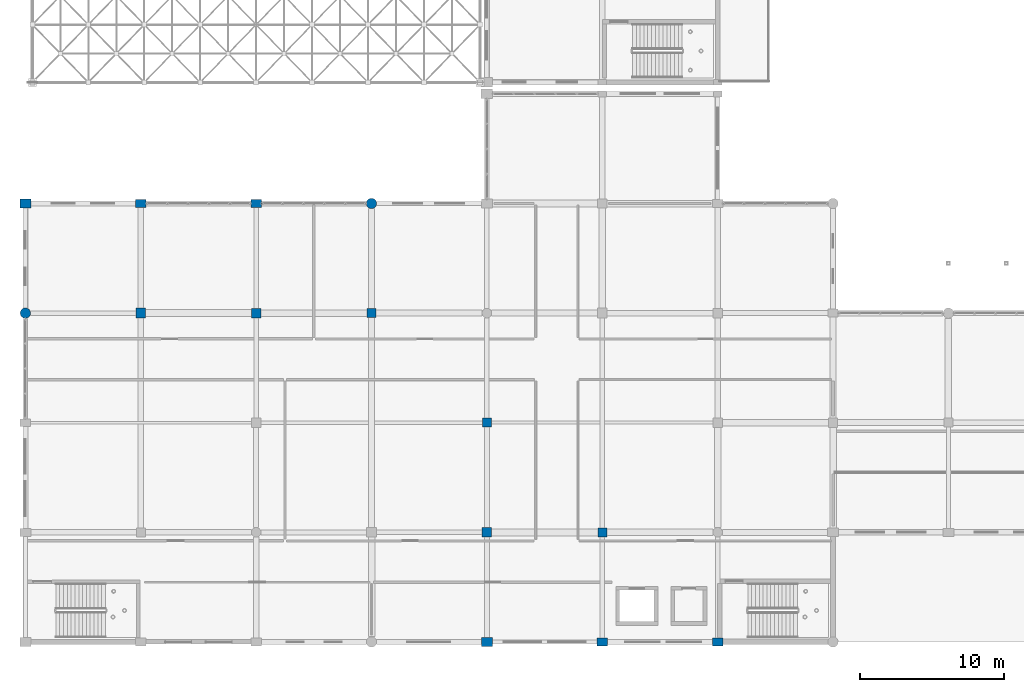
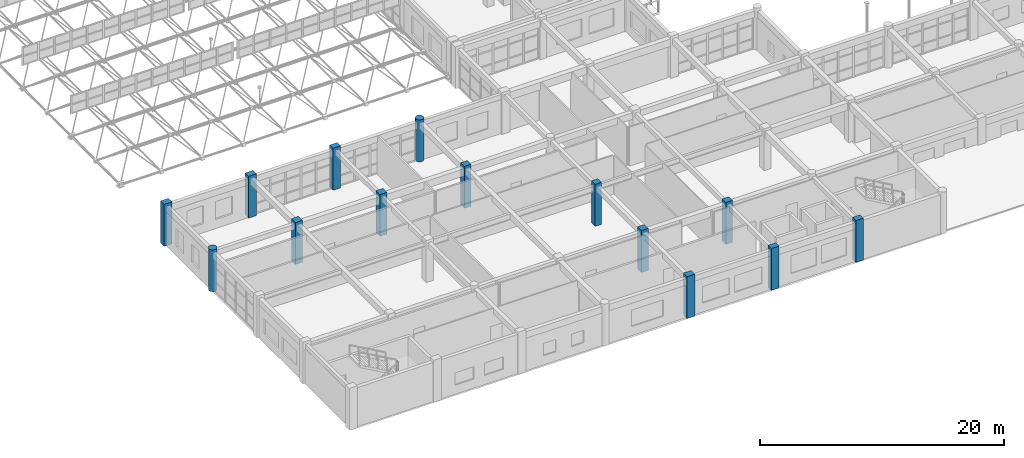
# One storey, part 2 of 195: 14 columns.
"""IFC4 building model written with IfcOpenShell, lengths in metres."""

from ifc_helpers import new_model, si_unit, direction, frame, origin, origin_2d, place, context, subcontext, project, spatial, rectangle, circle, extrude, material, material_profile, profile_set, type_object, element, save


model = new_model("IFC4")

# Units and contexts
model_context = context("Model", 3, precision=1e-05, world=origin(), true_north=direction((0.0, 1.0)))
body_context = subcontext(model_context, "Body", "Model", "MODEL_VIEW")
ifc_project = project(units=[si_unit("LENGTHUNIT", "METRE"), si_unit("AREAUNIT", "SQUARE_METRE"), si_unit("VOLUMEUNIT", "CUBIC_METRE"), si_unit("PLANEANGLEUNIT", "RADIAN"), si_unit("MASSUNIT", "GRAM", prefix="KILO")], contexts=[model_context])

# Site, building, storey
site_placement = place(None, origin())
site = spatial("IfcSite", under=ifc_project, at=site_placement, CompositionType="ELEMENT")
building_placement = place(site_placement, origin())
building = spatial("IfcBuilding", under=site, at=building_placement, Name="Kharva Crest Polytechnic", CompositionType="ELEMENT")
storey_placement = place(building_placement, frame((0.0, 0.0, 9.0)))
storey = spatial("IfcBuildingStorey", under=building, at=storey_placement, Name="L02", CompositionType="ELEMENT", Elevation=9.0)

# Columns
ifc_material = material(Name="Concrete C40/50", Category="concrete")
ifc_material_profile_1 = material_profile(ifc_material, rectangle(XDim=0.719970703125, YDim=0.550048828125, at=origin_2d()), Name="RECT 720 X 550")
ifc_profile_set_1 = profile_set([ifc_material_profile_1], Name="Concrete C40/50")
column_type_1 = type_object("IfcColumnType", Name="COL-EXT-720X550", PredefinedType="COLUMN", material=ifc_profile_set_1)
for number, where, z_axis, x_axis, name in (
    (1, (16.0, 30.39990234375, 0.0), (0.0, 0.0, 1.0), (1.0, 0.0, 0.0), "L02 Column 3/E"),
    (2, (48.0, 0.0, 0.0), (0.0, 0.0, 1.0), (1.0, 0.0, 0.0), "L02 Column 7/A"),
):
    element("IfcColumn", number, at=place(storey_placement, frame(where, z_axis=z_axis, x_axis=x_axis)), inside=storey, type_object=column_type_1, Name=name, PredefinedType="COLUMN", context=body_context, shape_type="SweptSolid", body=[
        extrude(rectangle(XDim=0.719970703125, YDim=0.550048828125, at=origin_2d()), origin(), (0.0, 0.0, 1.0), 4.199951171875),
    ])
ifc_material_profile_2 = material_profile(ifc_material, rectangle(XDim=0.75, YDim=0.550048828125, at=origin_2d()), Name="RECT 750 X 550")
ifc_profile_set_2 = profile_set([ifc_material_profile_2], Name="Concrete C40/50")
column_type_2 = type_object("IfcColumnType", Name="COL-EXT-750X550", PredefinedType="COLUMN", material=ifc_profile_set_2)
for number, where, z_axis, x_axis, name in (
    (3, (8.0, 30.39990234375, 0.0), (0.0, 0.0, 1.0), (1.0, 0.0, 0.0), "L02 Column 2/E"),
    (4, (40.0, 0.0, 0.0), (0.0, 0.0, 1.0), (1.0, 0.0, 0.0), "L02 Column 6/A"),
):
    element("IfcColumn", number, at=place(storey_placement, frame(where, z_axis=z_axis, x_axis=x_axis)), inside=storey, type_object=column_type_2, Name=name, PredefinedType="COLUMN", context=body_context, shape_type="SweptSolid", body=[
        extrude(rectangle(XDim=0.75, YDim=0.550048828125, at=origin_2d()), origin(), (0.0, 0.0, 1.0), 4.199951171875),
    ])
ifc_material_profile_3 = material_profile(ifc_material, rectangle(XDim=0.75, YDim=0.60009765625, at=origin_2d()), Name="RECT 750 X 600")
ifc_profile_set_3 = profile_set([ifc_material_profile_3], Name="Concrete C40/50")
column_type_3 = type_object("IfcColumnType", Name="COL-EXT-750X600", PredefinedType="COLUMN", material=ifc_profile_set_3)
for number, where, z_axis, x_axis, name in (
    (5, (0.0, 30.39990234375, 0.0), (0.0, 0.0, 1.0), (1.0, 0.0, 0.0), "L02 Column 1/E"),
    (6, (32.0, 0.0, 0.0), (0.0, 0.0, 1.0), (1.0, 0.0, 0.0), "L02 Column 5/A"),
):
    element("IfcColumn", number, at=place(storey_placement, frame(where, z_axis=z_axis, x_axis=x_axis)), inside=storey, type_object=column_type_3, Name=name, PredefinedType="COLUMN", context=body_context, shape_type="SweptSolid", body=[
        extrude(rectangle(XDim=0.75, YDim=0.60009765625, at=origin_2d()), origin(), (0.0, 0.0, 1.0), 4.199951171875),
    ])
ifc_material_profile_4 = material_profile(ifc_material, circle(Radius=0.360107421875, at=origin_2d()), Name="DIA 720")
ifc_profile_set_4 = profile_set([ifc_material_profile_4], Name="Concrete C40/50")
column_type_4 = type_object("IfcColumnType", Name="COL-EXT-DIA720", PredefinedType="COLUMN", material=ifc_profile_set_4)
for number, where, z_axis, x_axis, name in (
    (7, (0.0, 22.800048828125, 0.0), (0.0, 0.0, 1.0), (1.0, 0.0, 0.0), "L02 Column 1/D"),
    (8, (24.0, 30.39990234375, 0.0), (0.0, 0.0, 1.0), (1.0, 0.0, 0.0), "L02 Column 4/E"),
):
    element("IfcColumn", number, at=place(storey_placement, frame(where, z_axis=z_axis, x_axis=x_axis)), inside=storey, type_object=column_type_4, Name=name, PredefinedType="COLUMN", context=body_context, shape_type="SweptSolid", body=[
        extrude(circle(Radius=0.360107421875, at=origin_2d()), origin(), (0.0, 0.0, 1.0), 4.199951171875),
    ])
ifc_material_profile_5 = material_profile(ifc_material, rectangle(XDim=0.6201171875, YDim=0.6201171875, at=origin_2d()), Name="RECT 620 X 620")
ifc_profile_set_5 = profile_set([ifc_material_profile_5], Name="Concrete C40/50")
column_type_5 = type_object("IfcColumnType", Name="COL-INT-620X620", PredefinedType="COLUMN", material=ifc_profile_set_5)
for number, where, z_axis, x_axis, name in (
    (9, (24.0, 22.800048828125, 0.0), (0.0, 0.0, 1.0), (1.0, 0.0, 0.0), "L02 Column 4/D"),
    (10, (32.0, 15.199951171875, 0.0), (0.0, 0.0, 1.0), (1.0, 0.0, 0.0), "L02 Column 5/C"),
    (11, (40.0, 7.60009765625, 0.0), (0.0, 0.0, 1.0), (1.0, 0.0, 0.0), "L02 Column 6/B"),
):
    element("IfcColumn", number, at=place(storey_placement, frame(where, z_axis=z_axis, x_axis=x_axis)), inside=storey, type_object=column_type_5, Name=name, PredefinedType="COLUMN", context=body_context, shape_type="SweptSolid", body=[
        extrude(rectangle(XDim=0.6201171875, YDim=0.6201171875, at=origin_2d()), origin(), (0.0, 0.0, 1.0), 4.199951171875),
    ])
ifc_material_profile_6 = material_profile(ifc_material, rectangle(XDim=0.64990234375, YDim=0.64990234375, at=origin_2d()), Name="RECT 650 X 650")
ifc_profile_set_6 = profile_set([ifc_material_profile_6], Name="Concrete C40/50")
column_type_6 = type_object("IfcColumnType", Name="COL-INT-650X650", PredefinedType="COLUMN", material=ifc_profile_set_6)
for number, where, z_axis, x_axis, name in (
    (12, (16.0, 22.800048828125, 0.0), (0.0, 0.0, 1.0), (1.0, 0.0, 0.0), "L02 Column 3/D"),
    (13, (32.0, 7.60009765625, 0.0), (0.0, 0.0, 1.0), (1.0, 0.0, 0.0), "L02 Column 5/B"),
):
    element("IfcColumn", number, at=place(storey_placement, frame(where, z_axis=z_axis, x_axis=x_axis)), inside=storey, type_object=column_type_6, Name=name, PredefinedType="COLUMN", context=body_context, shape_type="SweptSolid", body=[
        extrude(rectangle(XDim=0.64990234375, YDim=0.64990234375, at=origin_2d()), origin(), (0.0, 0.0, 1.0), 4.199951171875),
    ])
ifc_material_profile_7 = material_profile(ifc_material, rectangle(XDim=0.679931640625, YDim=0.679931640625, at=origin_2d()), Name="RECT 680 X 680")
ifc_profile_set_7 = profile_set([ifc_material_profile_7], Name="Concrete C40/50")
column_type_7 = type_object("IfcColumnType", Name="COL-INT-680X680", PredefinedType="COLUMN", material=ifc_profile_set_7)
column_placement = place(storey_placement, frame((8.0, 22.800048828125, 0.0), z_axis=(0.0, 0.0, 1.0), x_axis=(1.0, 0.0, 0.0)))
element("IfcColumn", 14, at=column_placement, inside=storey, type_object=column_type_7, Name="L02 Column 2/D", PredefinedType="COLUMN", context=body_context, shape_type="SweptSolid", body=[
    extrude(rectangle(XDim=0.679931640625, YDim=0.679931640625, at=origin_2d()), origin(), (0.0, 0.0, 1.0), 4.199951171875),
])

save(model, "model.ifc")
